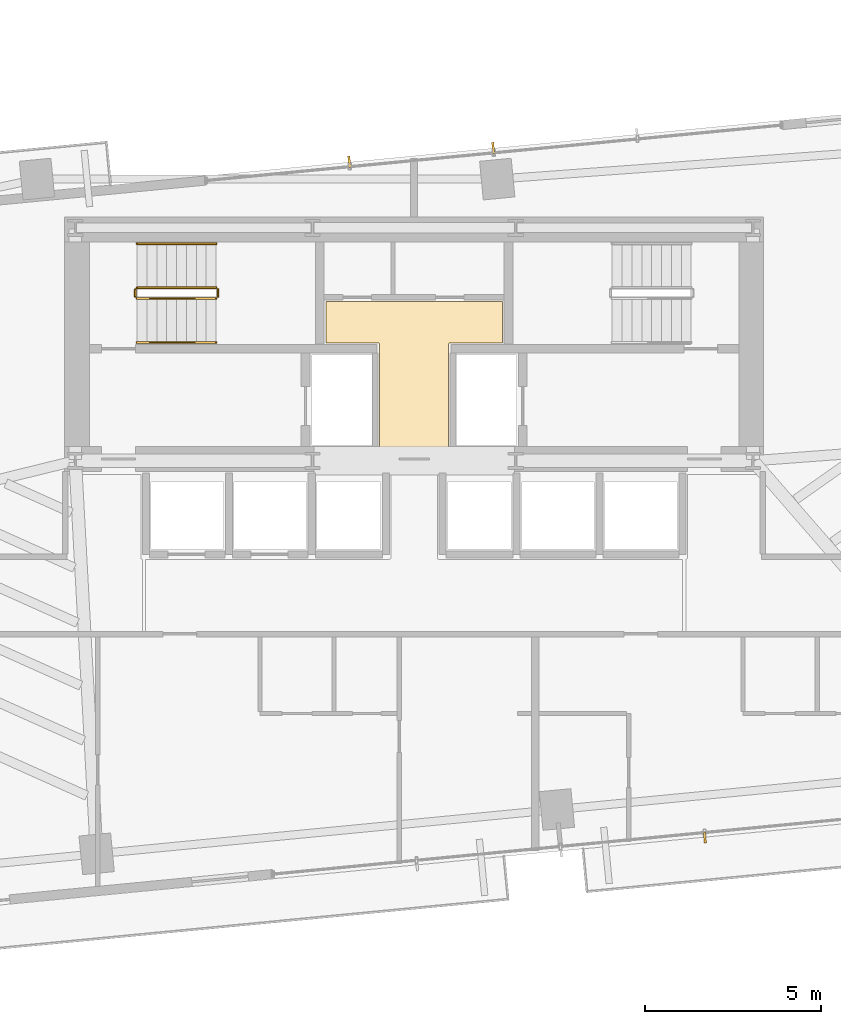
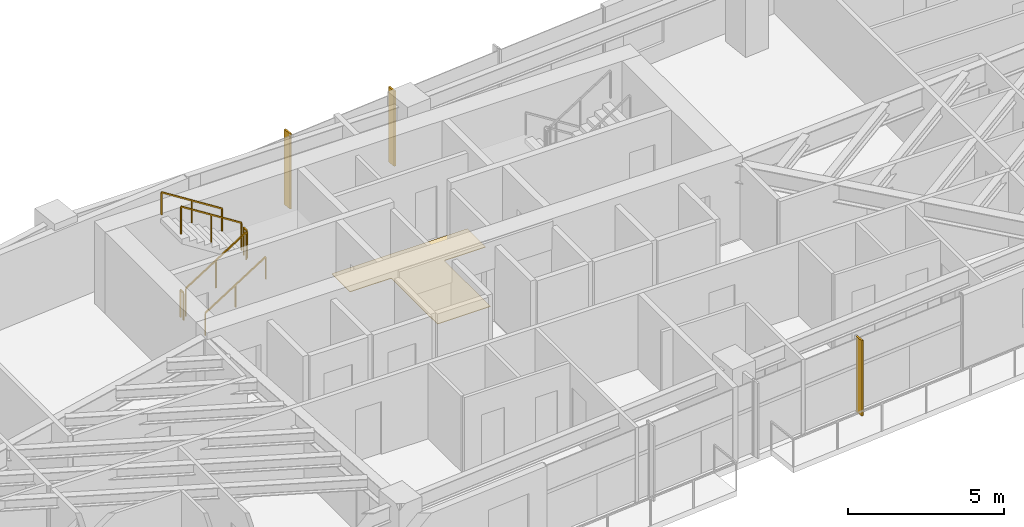
# One storey, part 26 of 27: 6 railings, 3 shading devices, 1 covering.
"""IFC4 building model written with IfcOpenShell, lengths in metres."""

from ifc_helpers import new_model, si_unit, direction, frame, origin, origin_2d, place, context, subcontext, project, spatial, polyline, rectangle, outline, extrude, source, transform, mapped, material, layer, layer_set, type_object, type_shapes, element, save


model = new_model("IFC4")

# Units and contexts
model_context = context("Model", 3, precision=1e-05, world=origin(), true_north=direction((0.0, 1.0)))
body_context = subcontext(model_context, "Body", "Model", "MODEL_VIEW")
ifc_project = project(units=[si_unit("LENGTHUNIT", "METRE"), si_unit("AREAUNIT", "SQUARE_METRE"), si_unit("VOLUMEUNIT", "CUBIC_METRE"), si_unit("PLANEANGLEUNIT", "RADIAN"), si_unit("MASSUNIT", "GRAM", prefix="KILO")], contexts=[model_context])

# Site, building, storey
site_placement = place(None, origin())
site = spatial("IfcSite", under=ifc_project, at=site_placement, CompositionType="ELEMENT")
building_placement = place(site_placement, origin())
building = spatial("IfcBuilding", under=site, at=building_placement, Name="Astriad Promenade Condominiums", CompositionType="ELEMENT")
storey_placement = place(building_placement, frame((0.0, 0.0, 87.39990234375)))
storey = spatial("IfcBuildingStorey", under=building, at=storey_placement, Name="L24", CompositionType="ELEMENT", Elevation=87.39990234375)

# Covering
ifc_material_1 = material(Name="Polished Lakefront Terrazzo Flooring")
ifc_layer = layer(ifc_material_1, 0.02001953125)
ifc_layer_set = layer_set([ifc_layer], Name="Polished Lakefront Terrazzo Flooring")
covering_type = type_object("IfcCoveringType", Name="COV-FLOR-TERRAZZO-20", PredefinedType="FLOORING", material=ifc_layer_set)
covering_placement = place(storey_placement, origin())
element("IfcCovering", 1, at=covering_placement, inside=storey, type_object=covering_type, Name="FLR-L24-CSL", PredefinedType="FLOORING", context=body_context, shape_type="SweptSolid", body=[
    extrude(outline(polyline([(36.97998046875, 20.699951171875), (36.97998046875, 17.7900390625), (35.02001953125, 17.7900390625), (35.02001953125, 20.699951171875), (35.019775390625, 20.703857421875), (35.019287109375, 20.707763671875), (35.018310546875, 20.711669921875), (35.01708984375, 20.71533203125), (35.015380859375, 20.718994140625), (35.01318359375, 20.72216796875), (35.010986328125, 20.725341796875), (35.00830078125, 20.728271484375), (35.00537109375, 20.73095703125), (35.002197265625, 20.7333984375), (34.998779296875, 20.7353515625), (34.995361328125, 20.737060546875), (34.99169921875, 20.73828125), (34.98779296875, 20.7392578125), (34.98388671875, 20.73974609375), (34.97998046875, 20.739990234375), (33.5, 20.739990234375), (33.5, 21.909912109375), (38.5, 21.909912109375), (38.5, 20.739990234375), (37.02001953125, 20.739990234375), (37.01611328125, 20.73974609375), (37.01220703125, 20.7392578125), (37.00830078125, 20.73828125), (37.004638671875, 20.737060546875), (37.001220703125, 20.7353515625), (36.997802734375, 20.7333984375), (36.99462890625, 20.73095703125), (36.99169921875, 20.728271484375), (36.989013671875, 20.725341796875), (36.98681640625, 20.72216796875), (36.984619140625, 20.718994140625), (36.98291015625, 20.71533203125), (36.981689453125, 20.711669921875), (36.980712890625, 20.707763671875), (36.980224609375, 20.703857421875), (36.97998046875, 20.699951171875)])), origin(), (0.0, 0.0, 1.0), 0.02001953125),
])

# Shading devices
ifc_material_2 = material(Name="Anodised aluminium 6063-T6 Black Fin", Category="aluminium")
shading_device_type = type_object("IfcShadingDeviceType", Name="FIN-BLACK-320", PredefinedType="USERDEFINED", material=ifc_material_2)
shared_shape_1 = source(origin(), body_context, "Body", "SweptSolid", [
    extrude(rectangle(XDim=0.06494140625, YDim=0.320068359375, at=origin_2d()), origin(), (0.0, 0.0, 1.0), 2.93994140625),
])
type_shapes(shading_device_type, [shared_shape_1])
for number, where, z_axis, x_axis, name in (
    (2, (34.164306640625, 25.87158203125, 0.000244140625), (0.0, 0.0, 1.0), (0.995396198367, 0.09584575252, 0.0), "CW-L24-N-FIN-01"),
    (3, (38.240478515625, 26.263916015625, 0.000244140625), (0.0, 0.0, 1.0), (0.995396198367, 0.09584575252, 0.0), "CW-L24-N-FIN-02"),
    (4, (44.235595703125, 6.728515625, 0.000244140625), (0.0, 0.0, 1.0), (-0.995396198367, -0.09584575252, 0.0), "CW-L24-S-FIN-01"),
):
    element("IfcShadingDevice", number, at=place(storey_placement, frame(where, z_axis=z_axis, x_axis=x_axis)), inside=storey, type_object=shading_device_type, Name=name, ObjectType="FIN", PredefinedType="USERDEFINED", context=body_context, shape_type="MappedRepresentation", body=[
        mapped(shared_shape_1, transform((0.0, 0.0, 0.0), scale=1.0)),
    ])

# Railings
ifc_material_3 = material(Name="Painted Galvanised Steel Guardrail", Category="steel")
railing_type_1 = type_object("IfcRailingType", Name="GRD-STAIR-1100", PredefinedType="GUARDRAIL", material=ifc_material_3)
shared_shape_2 = source(origin(), body_context, "Body", "SweptSolid", [
    extrude(rectangle(XDim=0.048095703125, YDim=0.048095703125, at=origin_2d()), frame((0.0, 0.0, 1.076171875), z_axis=(0.0, 1.0, 0.0), x_axis=(-1.0, 0.0, 0.0)), (0.0, 0.0, 1.0), 0.199951171875),
    extrude(rectangle(XDim=0.0419921875, YDim=0.0419921875, at=origin_2d()), origin(), (0.0, 0.0, 1.0), 1.052001953125),
    extrude(rectangle(XDim=0.0419921875, YDim=0.0419921875, at=origin_2d()), frame((0.0, 0.199951171875, 0.0)), (0.0, 0.0, 1.0), 1.052001953125),
])
for number, where, name in (
    (5, (30.43994140625, 22.050048828125, 1.60009765625), "L24 ST-1 stair guard 2"),
    (6, (28.10009765625, 22.050048828125, 0.0), "L24 ST-1 stair guard 4"),
):
    element("IfcRailing", number, at=place(storey_placement, frame(where)), inside=storey, type_object=railing_type_1, Name=name, PredefinedType="GUARDRAIL", context=body_context, shape_type="MappedRepresentation", body=[
        mapped(shared_shape_2, transform((0.0, 0.0, 0.0), scale=1.0)),
    ])
shared_shape_3 = source(origin(), body_context, "Body", "SweptSolid", [
    extrude(rectangle(XDim=0.048095703125, YDim=0.048095703125, at=origin_2d()), frame((0.0, 0.0, 1.076171875), z_axis=(0.8442293374, 0.0, 0.53598211339), x_axis=(0.0, 1.0, 0.0)), (0.0, 0.0, 1.0), 2.6533203125),
    extrude(rectangle(XDim=0.0419921875, YDim=0.0419921875, at=origin_2d()), origin(), (0.0, 0.0, 1.0), 1.052001953125),
    extrude(rectangle(XDim=0.0419921875, YDim=0.0419921875, at=origin_2d()), frame((1.1201171875, 0.0, 0.7109375)), (0.0, 0.0, 1.0), 1.052001953125),
    extrude(rectangle(XDim=0.0419921875, YDim=0.0419921875, at=origin_2d()), frame((2.239990234375, 0.0, 1.422119140625)), (0.0, 0.0, 1.0), 1.052001953125),
])
railing_1_placement = place(storey_placement, frame((28.14990234375, 22.0, 0.177978515625)))
element("IfcRailing", 7, at=railing_1_placement, inside=storey, type_object=railing_type_1, Name="L24 ST-1 stair guard 1", PredefinedType="GUARDRAIL", context=body_context, shape_type="MappedRepresentation", body=[
    mapped(shared_shape_3, transform((0.0, 0.0, 0.0), scale=1.0)),
])
shared_shape_4 = source(origin(), body_context, "Body", "SweptSolid", [
    extrude(rectangle(XDim=0.048095703125, YDim=0.048095703125, at=origin_2d()), frame((0.0, 0.0, 1.076171875), z_axis=(-0.84418770128, 0.0, 0.536047689118), x_axis=(0.0, -1.0, 0.0)), (0.0, 0.0, 1.0), 2.6533203125),
    extrude(rectangle(XDim=0.0419921875, YDim=0.0419921875, at=origin_2d()), origin(), (0.0, 0.0, 1.0), 1.052001953125),
    extrude(rectangle(XDim=0.0419921875, YDim=0.0419921875, at=origin_2d()), frame((-1.1201171875, 0.0, 0.711181640625)), (0.0, 0.0, 1.0), 1.052001953125),
    extrude(rectangle(XDim=0.0419921875, YDim=0.0419921875, at=origin_2d()), frame((-2.239990234375, 0.0, 1.42236328125)), (0.0, 0.0, 1.0), 1.052001953125),
])
type_shapes(railing_type_1, [shared_shape_2, shared_shape_3, shared_shape_4])
railing_2_placement = place(storey_placement, frame((30.389892578125, 22.300048828125, 1.77783203125)))
element("IfcRailing", 8, at=railing_2_placement, inside=storey, type_object=railing_type_1, Name="L24 ST-1 stair guard 3", PredefinedType="GUARDRAIL", context=body_context, shape_type="MappedRepresentation", body=[
    mapped(shared_shape_4, transform((0.0, 0.0, 0.0), scale=1.0)),
])
ifc_material_4 = material(Name="Brushed Stainless Steel Handrail", Category="steel")
railing_type_2 = type_object("IfcRailingType", Name="HRL-STAIR-920", PredefinedType="HANDRAIL", material=ifc_material_4)
shared_shape_5 = source(origin(), body_context, "Body", "SweptSolid", [
    extrude(rectangle(XDim=0.048095703125, YDim=0.048095703125, at=origin_2d()), frame((0.0, 0.0, 0.8759765625), z_axis=(0.8442293374, 0.0, 0.53598211339), x_axis=(0.0, 1.0, 0.0)), (0.0, 0.0, 1.0), 2.6533203125),
    extrude(rectangle(XDim=0.0419921875, YDim=0.0419921875, at=origin_2d()), origin(), (0.0, 0.0, 1.0), 0.851806640625),
    extrude(rectangle(XDim=0.0419921875, YDim=0.0419921875, at=origin_2d()), frame((1.1201171875, 0.0, 0.7109375)), (0.0, 0.0, 1.0), 0.851806640625),
    extrude(rectangle(XDim=0.0419921875, YDim=0.0419921875, at=origin_2d()), frame((2.239990234375, 0.0, 1.422119140625)), (0.0, 0.0, 1.0), 0.851806640625),
])
railing_3_placement = place(storey_placement, frame((28.14990234375, 20.75, 0.177978515625)))
element("IfcRailing", 9, at=railing_3_placement, inside=storey, type_object=railing_type_2, Name="L24 ST-1 stair handrail 1", PredefinedType="HANDRAIL", context=body_context, shape_type="MappedRepresentation", body=[
    mapped(shared_shape_5, transform((0.0, 0.0, 0.0), scale=1.0)),
])
shared_shape_6 = source(origin(), body_context, "Body", "SweptSolid", [
    extrude(rectangle(XDim=0.048095703125, YDim=0.048095703125, at=origin_2d()), frame((0.0, 0.0, 0.8759765625), z_axis=(-0.84418770128, 0.0, 0.536047689118), x_axis=(0.0, -1.0, 0.0)), (0.0, 0.0, 1.0), 2.6533203125),
    extrude(rectangle(XDim=0.0419921875, YDim=0.0419921875, at=origin_2d()), origin(), (0.0, 0.0, 1.0), 0.851806640625),
    extrude(rectangle(XDim=0.0419921875, YDim=0.0419921875, at=origin_2d()), frame((-1.1201171875, 0.0, 0.711181640625)), (0.0, 0.0, 1.0), 0.851806640625),
    extrude(rectangle(XDim=0.0419921875, YDim=0.0419921875, at=origin_2d()), frame((-2.239990234375, 0.0, 1.42236328125)), (0.0, 0.0, 1.0), 0.851806640625),
])
type_shapes(railing_type_2, [shared_shape_5, shared_shape_6])
railing_4_placement = place(storey_placement, frame((30.389892578125, 23.550048828125, 1.77783203125)))
element("IfcRailing", 10, at=railing_4_placement, inside=storey, type_object=railing_type_2, Name="L24 ST-1 stair handrail 2", PredefinedType="HANDRAIL", context=body_context, shape_type="MappedRepresentation", body=[
    mapped(shared_shape_6, transform((0.0, 0.0, 0.0), scale=1.0)),
])

save(model, "model.ifc")
